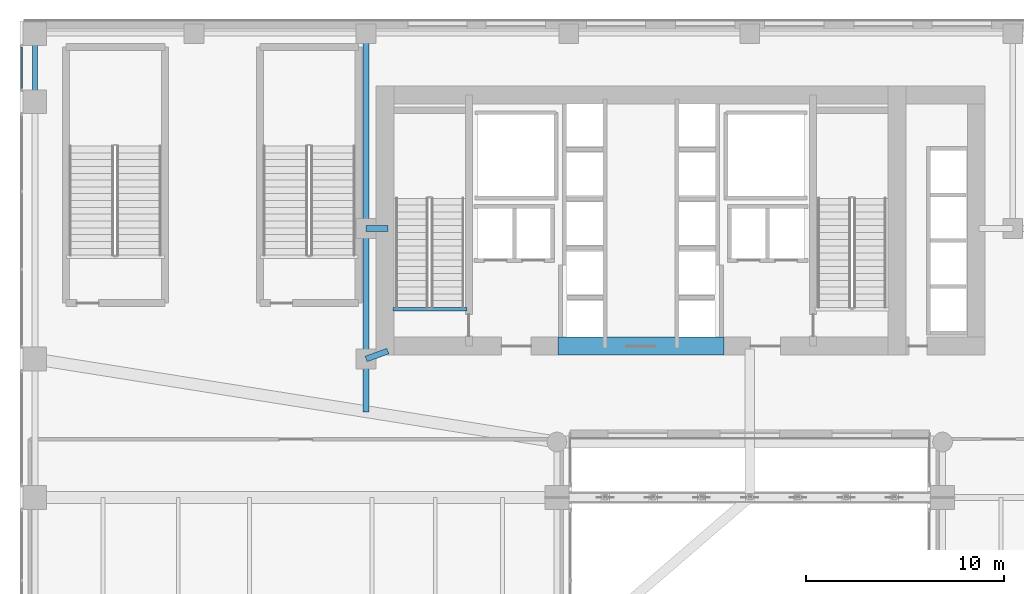
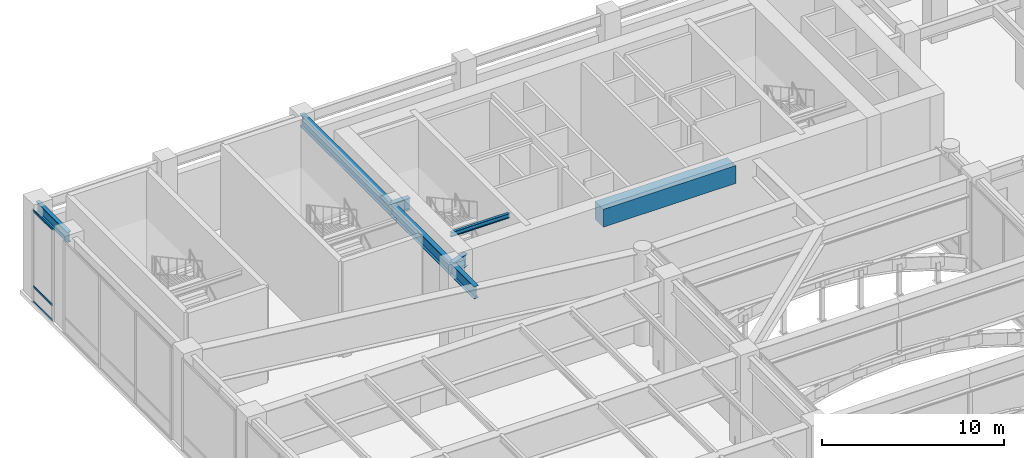
# One storey, part 31 of 50: 8 beams, 3 members, 1 element without a shape of its own.
"""IFC4 building model written with IfcOpenShell, lengths in metres."""

from ifc_helpers import new_model, si_unit, direction, frame, origin, origin_2d, place, context, subcontext, project, spatial, rectangle, hollow_rectangle, i_section, extrude, source, transform, mapped, material, layer, layer_set, material_profile, profile_set, type_object, type_shapes, element, aggregate, save


model = new_model("IFC4")

# Units and contexts
model_context = context("Model", 3, precision=1e-05, world=origin(), true_north=direction((0.0, 1.0)))
body_context = subcontext(model_context, "Body", "Model", "MODEL_VIEW")
ifc_project = project(units=[si_unit("LENGTHUNIT", "METRE"), si_unit("AREAUNIT", "SQUARE_METRE"), si_unit("VOLUMEUNIT", "CUBIC_METRE"), si_unit("PLANEANGLEUNIT", "RADIAN"), si_unit("MASSUNIT", "GRAM", prefix="KILO")], contexts=[model_context])

# Site, building, storey
site_placement = place(None, origin())
site = spatial("IfcSite", under=ifc_project, at=site_placement, CompositionType="ELEMENT")
building_placement = place(site_placement, origin())
building = spatial("IfcBuilding", under=site, at=building_placement, Name="Tolvann Quenvar Hotel", CompositionType="ELEMENT")
storey_placement = place(building_placement, frame((0.0, 0.0, 16.0)))
storey = spatial("IfcBuildingStorey", under=building, at=storey_placement, Name="L03", CompositionType="ELEMENT", Elevation=16.0)

# Beams
ifc_material_1 = material(Name="Concrete S80 (80 MPa)", Category="concrete")
ifc_material_profile_1 = material_profile(ifc_material_1, rectangle(XDim=0.89990234375, YDim=1.199951171875, at=origin_2d()), Name="RC900x1200")
ifc_profile_set_1 = profile_set([ifc_material_profile_1], Name="Concrete S80 (80 MPa)")
beam_type_1 = type_object("IfcBeamType", Name="BM_LINT_RC900x1200", PredefinedType="LINTEL", material=ifc_profile_set_1)
shared_shape_1 = source(origin(), body_context, "Body", "SweptSolid", [
    extrude(rectangle(XDim=0.89990234375, YDim=1.199951171875, at=origin_2d()), origin(), (0.0, 0.0, 1.0), 8.39990234375),
])
type_shapes(beam_type_1, [shared_shape_1])
beam_1_placement = place(storey_placement, frame((18.800048828125, 32.050048828125, 5.5400390625), z_axis=(1.0, 0.0, 0.0), x_axis=(0.0, 1.0, 0.0)))
element("IfcBeam", 1, at=beam_1_placement, inside=storey, type_object=beam_type_1, Name="Core Coupling Lintel Beam (L03)", PredefinedType="LINTEL", context=body_context, shape_type="MappedRepresentation", body=[
    mapped(shared_shape_1, transform((0.0, 0.0, 0.0), x_axis=(1.0, 0.0, 0.0), y_axis=(0.0, 1.0, 0.0), z_axis=(0.0, 0.0, 1.0), scale=1.0)),
])
ifc_material_2 = material(Name="Steel Grade 350", Category="steel")
ifc_material_profile_2 = material_profile(ifc_material_2, i_section(OverallWidth=0.25, OverallDepth=0.699951171875, WebThickness=0.010009765625, FlangeThickness=0.02392578125, at=origin_2d()), Name="700WB150")
ifc_profile_set_2 = profile_set([ifc_material_profile_2], Name="Steel Grade 350")
beam_type_2 = type_object("IfcBeamType", Name="BM_GIRD_700WB150", PredefinedType="BEAM", material=ifc_profile_set_2)
shared_shape_2 = source(origin(), body_context, "Body", "SweptSolid", [
    extrude(i_section(OverallWidth=0.25, OverallDepth=0.699951171875, WebThickness=0.010009765625, FlangeThickness=0.02392578125, at=origin_2d()), origin(), (0.0, 0.0, 1.0), 3.4501953125),
])
type_shapes(beam_type_2, [shared_shape_2])
beam_2_placement = place(storey_placement, frame((-7.64990234375, 44.39990234375, 5.7900390625), z_axis=(0.0, 1.0, 0.0), x_axis=(-1.0, 0.0, 0.0)))
element("IfcBeam", 2, at=beam_2_placement, inside=storey, type_object=beam_type_2, Name="BM-L03-NSN-A", PredefinedType="BEAM", context=body_context, shape_type="MappedRepresentation", body=[
    mapped(shared_shape_2, transform((0.0, 0.0, 0.0), x_axis=(1.0, 0.0, 0.0), y_axis=(0.0, 1.0, 0.0), z_axis=(0.0, 0.0, 1.0), scale=1.0)),
])
ifc_material_profile_3 = material_profile(ifc_material_2, i_section(OverallWidth=0.300048828125, OverallDepth=0.81591796875, WebThickness=0.010009765625, FlangeThickness=0.028076171875, at=origin_2d()), Name="800WB192")
ifc_profile_set_3 = profile_set([ifc_material_profile_3], Name="Steel Grade 350")
beam_type_3 = type_object("IfcBeamType", Name="BM_GIRD_800WB192", PredefinedType="BEAM", material=ifc_profile_set_3)
shared_shape_3 = source(origin(), body_context, "Body", "SweptSolid", [
    extrude(i_section(OverallWidth=0.300048828125, OverallDepth=0.81591796875, WebThickness=0.010009765625, FlangeThickness=0.028076171875, at=origin_2d()), origin(), (0.0, 0.0, 1.0), 1.17041015625),
])
beam_3_placement = place(storey_placement, frame((9.10009765625, 31.39990234375, 5.73193359375), z_axis=(0.939738597058, 0.34189379813, 0.0), x_axis=(-0.34189379813, 0.939738597058, 0.0)))
element("IfcBeam", 3, at=beam_3_placement, inside=storey, type_object=beam_type_3, Name="BM-L03-EW-PCNS2", PredefinedType="BEAM", context=body_context, shape_type="MappedRepresentation", body=[
    mapped(shared_shape_3, transform((0.0, 0.0, 0.0), x_axis=(1.0, 0.0, 0.0), y_axis=(0.0, 1.0, 0.0), z_axis=(0.0, 0.0, 1.0), scale=1.0)),
])
shared_shape_4 = source(origin(), body_context, "Body", "SweptSolid", [
    extrude(i_section(OverallWidth=0.300048828125, OverallDepth=0.81591796875, WebThickness=0.010009765625, FlangeThickness=0.028076171875, at=origin_2d()), origin(), (0.0, 0.0, 1.0), 6.60009765625),
])
beam_4_placement = place(storey_placement, frame((9.10009765625, 31.39990234375, 5.73193359375), z_axis=(0.0, 1.0, 0.0), x_axis=(-1.0, 0.0, 0.0)))
element("IfcBeam", 4, at=beam_4_placement, inside=storey, type_object=beam_type_3, Name="BM-L03-NSB-PCN1", PredefinedType="BEAM", context=body_context, shape_type="MappedRepresentation", body=[
    mapped(shared_shape_4, transform((0.0, 0.0, 0.0), x_axis=(1.0, 0.0, 0.0), y_axis=(0.0, 1.0, 0.0), z_axis=(0.0, 0.0, 1.0), scale=1.0)),
])
shared_shape_5 = source(origin(), body_context, "Body", "SweptSolid", [
    extrude(i_section(OverallWidth=0.300048828125, OverallDepth=0.81591796875, WebThickness=0.010009765625, FlangeThickness=0.028076171875, at=origin_2d()), origin(), (0.0, 0.0, 1.0), 9.85009765625),
])
beam_5_placement = place(storey_placement, frame((9.10009765625, 38.0, 5.73193359375), z_axis=(0.0, 1.0, 0.0), x_axis=(-1.0, 0.0, 0.0)))
element("IfcBeam", 5, at=beam_5_placement, inside=storey, type_object=beam_type_3, Name="BM-L03-NSB-PCN2", PredefinedType="BEAM", context=body_context, shape_type="MappedRepresentation", body=[
    mapped(shared_shape_5, transform((0.0, 0.0, 0.0), x_axis=(1.0, 0.0, 0.0), y_axis=(0.0, 1.0, 0.0), z_axis=(0.0, 0.0, 1.0), scale=1.0)),
])
shared_shape_6 = source(origin(), body_context, "Body", "SweptSolid", [
    extrude(i_section(OverallWidth=0.300048828125, OverallDepth=0.81591796875, WebThickness=0.010009765625, FlangeThickness=0.028076171875, at=origin_2d()), origin(), (0.0, 0.0, 1.0), 1.099853515625),
])
beam_6_placement = place(storey_placement, frame((9.10009765625, 38.0, 5.73193359375), z_axis=(1.0, 0.0, 0.0), x_axis=(0.0, 1.0, 0.0)))
element("IfcBeam", 6, at=beam_6_placement, inside=storey, type_object=beam_type_3, Name="BM-L03-EW-PCN", PredefinedType="BEAM", context=body_context, shape_type="MappedRepresentation", body=[
    mapped(shared_shape_6, transform((0.0, 0.0, 0.0), x_axis=(1.0, 0.0, 0.0), y_axis=(0.0, 1.0, 0.0), z_axis=(0.0, 0.0, 1.0), scale=1.0)),
])
ifc_material_profile_4 = material_profile(ifc_material_2, i_section(OverallWidth=0.166015625, OverallDepth=0.306884765625, WebThickness=0.006591796875, FlangeThickness=0.01171875, FilletRadius=0.011474609375, at=origin_2d()), Name="310UB46")
ifc_profile_set_4 = profile_set([ifc_material_profile_4], Name="Steel Grade 350")
beam_type_4 = type_object("IfcBeamType", Name="BM_JOIST_310UB46", PredefinedType="JOIST", material=ifc_profile_set_4)
shared_shape_7 = source(origin(), body_context, "Body", "SweptSolid", [
    extrude(i_section(OverallWidth=0.166015625, OverallDepth=0.306884765625, WebThickness=0.006591796875, FlangeThickness=0.01171875, FilletRadius=0.011474609375, at=origin_2d()), origin(), (0.0, 0.0, 1.0), 3.75),
])
type_shapes(beam_type_4, [shared_shape_7])
beam_7_placement = place(storey_placement, frame((10.449951171875, 33.9150390625, 5.986572265625), z_axis=(1.0, 0.0, 0.0), x_axis=(0.0, 1.0, 0.0)))
element("IfcBeam", 7, at=beam_7_placement, inside=storey, type_object=beam_type_4, Name="BM-HDR-ST-C1-L04", PredefinedType="JOIST", context=body_context, shape_type="MappedRepresentation", body=[
    mapped(shared_shape_7, transform((0.0, 0.0, 0.0), x_axis=(1.0, 0.0, 0.0), y_axis=(0.0, 1.0, 0.0), z_axis=(0.0, 0.0, 1.0), scale=1.0)),
])
shared_shape_8 = source(origin(), body_context, "Body", "SweptSolid", [
    extrude(i_section(OverallWidth=0.300048828125, OverallDepth=0.81591796875, WebThickness=0.010009765625, FlangeThickness=0.028076171875, at=origin_2d()), origin(), (0.0, 0.0, 1.0), 2.669921875),
])
type_shapes(beam_type_3, [shared_shape_3, shared_shape_4, shared_shape_5, shared_shape_6, shared_shape_8])
beam_8_placement = place(storey_placement, frame((9.10009765625, 28.72998046875, 5.73193359375), z_axis=(0.0, 1.0, 0.0), x_axis=(-1.0, 0.0, 0.0)))
element("IfcBeam", 8, at=beam_8_placement, inside=storey, type_object=beam_type_3, Name="BM-L03-NS-PCNS-TIE", PredefinedType="BEAM", context=body_context, shape_type="MappedRepresentation", body=[
    mapped(shared_shape_8, transform((0.0, 0.0, 0.0), x_axis=(1.0, 0.0, 0.0), y_axis=(0.0, 1.0, 0.0), z_axis=(0.0, 0.0, 1.0), scale=1.0)),
])

# Curtain wall, members
ifc_material_3 = material(Name="Thermally broken anodised architectural aluminium 6063-T6 and laminated low-E glass", Category="aluminium")
ifc_layer = layer(ifc_material_3, 0.179931640625)
ifc_layer_set = layer_set([ifc_layer], Name="Thermally broken anodised architectural aluminium 6063-T6 and laminated low-E glass")
curtain_wall_type = type_object("IfcCurtainWallType", Name="CW_SYS_BALL_02", PredefinedType="USERDEFINED", material=ifc_layer_set)
curtain_wall_placement = place(storey_placement, origin())
curtain_wall = element("IfcCurtainWall", 9, at=curtain_wall_placement, inside=storey, type_object=curtain_wall_type, Name="Curtain Wall CW-BALL-02 (CWR-L03-E07-S1)", ObjectType="UNITISED CURTAIN WALL", PredefinedType="USERDEFINED")
ifc_material_4 = material(Name="Anodised architectural aluminium 6063-T6 framing", Category="aluminium")
ifc_material_profile_5 = material_profile(ifc_material_4, hollow_rectangle(XDim=0.06005859375, YDim=0.1201171875, WallThickness=0.00341796875, at=origin_2d()), Name="120x60x3.5RHS")
ifc_profile_set_5 = profile_set([ifc_material_profile_5], Name="Anodised architectural aluminium 6063-T6 framing")
member_type = type_object("IfcMemberType", Name="CW_TRAN_120x60", PredefinedType="USERDEFINED", material=ifc_profile_set_5)
shared_shape_9 = source(origin(), body_context, "Body", "SweptSolid", [
    extrude(hollow_rectangle(XDim=0.06005859375, YDim=0.1201171875, WallThickness=0.00341796875, at=origin_2d()), origin(), (0.0, 0.0, 1.0), 2.10205078125),
])
type_shapes(member_type, [shared_shape_9])
member_1_placement = place(storey_placement, frame((-8.31005859375, 47.176025390625, 0.030029296875), z_axis=(0.0, -1.0, 0.0), x_axis=(1.0, 0.0, 0.0)))
member_1 = element("IfcMember", 10, at=member_1_placement, type_object=member_type, Name="CW-BALL-02 transom 1.1", ObjectType="TRANSOM", PredefinedType="USERDEFINED", context=body_context, shape_type="MappedRepresentation", body=[
    mapped(shared_shape_9, transform((0.0, 0.0, 0.0), x_axis=(1.0, 0.0, 0.0), y_axis=(0.0, 1.0, 0.0), z_axis=(0.0, 0.0, 1.0), scale=1.0)),
])
member_2_placement = place(storey_placement, frame((-8.31005859375, 47.176025390625, 1.050048828125), z_axis=(0.0, -1.0, 0.0), x_axis=(1.0, 0.0, 0.0)))
member_2 = element("IfcMember", 11, at=member_2_placement, type_object=member_type, Name="CW-BALL-02 transom 1.2", ObjectType="TRANSOM", PredefinedType="USERDEFINED", context=body_context, shape_type="MappedRepresentation", body=[
    mapped(shared_shape_9, transform((0.0, 0.0, 0.0), x_axis=(1.0, 0.0, 0.0), y_axis=(0.0, 1.0, 0.0), z_axis=(0.0, 0.0, 1.0), scale=1.0)),
])
member_3_placement = place(storey_placement, frame((-8.31005859375, 47.176025390625, 6.110107421875), z_axis=(0.0, -1.0, 0.0), x_axis=(1.0, 0.0, 0.0)))
member_3 = element("IfcMember", 12, at=member_3_placement, type_object=member_type, Name="CW-BALL-02 transom 1.3", ObjectType="TRANSOM", PredefinedType="USERDEFINED", context=body_context, shape_type="MappedRepresentation", body=[
    mapped(shared_shape_9, transform((0.0, 0.0, 0.0), x_axis=(1.0, 0.0, 0.0), y_axis=(0.0, 1.0, 0.0), z_axis=(0.0, 0.0, 1.0), scale=1.0)),
])
aggregate(curtain_wall, [member_1, member_2, member_3])

save(model, "model.ifc")
